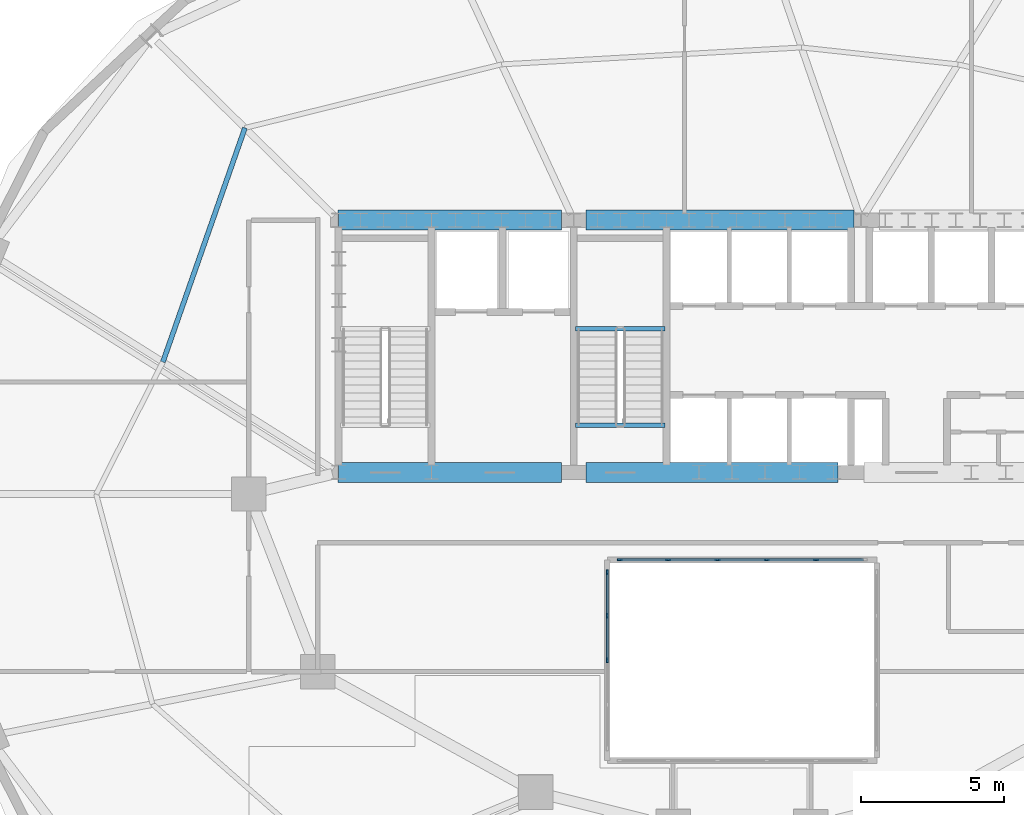
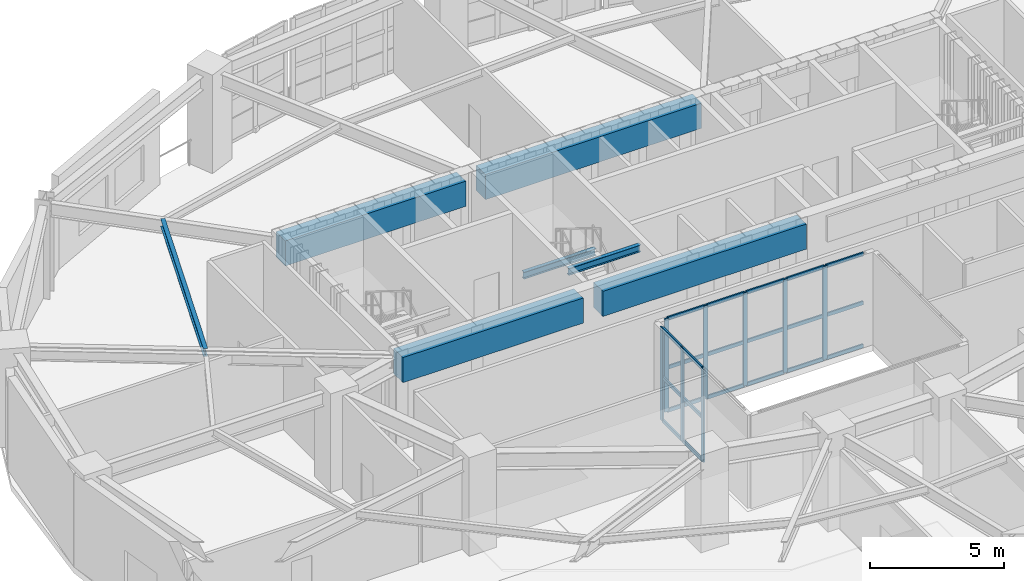
# One storey, part 4 of 15: 29 members, 7 beams, 2 elements without a shape of their own.
"""IFC4 building model written with IfcOpenShell, lengths in metres."""

from ifc_helpers import new_model, si_unit, direction, frame, origin, origin_2d, place, context, subcontext, project, spatial, rectangle, i_section, extrude, material, material_profile, profile_set, type_object, element, aggregate, save


model = new_model("IFC4")

# Units and contexts
model_context = context("Model", 3, precision=1e-05, world=origin(), true_north=direction((0.0, 1.0)))
body_context = subcontext(model_context, "Body", "Model", "MODEL_VIEW")
ifc_project = project(units=[si_unit("LENGTHUNIT", "METRE"), si_unit("AREAUNIT", "SQUARE_METRE"), si_unit("VOLUMEUNIT", "CUBIC_METRE"), si_unit("PLANEANGLEUNIT", "RADIAN"), si_unit("MASSUNIT", "GRAM", prefix="KILO")], contexts=[model_context])

# Site, building, storey
site_placement = place(None, origin())
site = spatial("IfcSite", under=ifc_project, at=site_placement, CompositionType="ELEMENT")
building_placement = place(site_placement, origin())
building = spatial("IfcBuilding", under=site, at=building_placement, Name="Haldorwick Loom Tower", CompositionType="ELEMENT")
storey_placement = place(building_placement, frame((0.0, 0.0, 105.949951171875)))
storey = spatial("IfcBuildingStorey", under=building, at=storey_placement, Name="L28", CompositionType="ELEMENT", Elevation=105.949951171875)

# Curtain wall, members
ifc_material_1 = material(Name="Thermally Broken Anodized Aluminium Curtain Wall Framing", Category="aluminium")
curtain_wall_type = type_object("IfcCurtainWallType", Name="ARC-CW-03", PredefinedType="NOTDEFINED", material=ifc_material_1)
curtain_wall_1_placement = place(storey_placement, origin())
curtain_wall_1 = element("IfcCurtainWall", 1, at=curtain_wall_1_placement, inside=storey, type_object=curtain_wall_type, Name="L28 Atrium Glazed Screen N", PredefinedType="NOTDEFINED")
ifc_material_profile_1 = material_profile(ifc_material_1, rectangle(XDim=0.06591796875, YDim=0.18505859375, at=origin_2d()), Name="ALU_MUL_66X185", Category="aluminium")
ifc_profile_set_1 = profile_set([ifc_material_profile_1], Name="Thermally Broken Anodized Aluminium Curtain Wall Framing")
member_type_1 = type_object("IfcMemberType", Name="ARC-CWM-03", PredefinedType="MULLION", material=ifc_profile_set_1)
member_1_placement = place(storey_placement, frame((31.73291015625, 23.699951171875, 0.0), z_axis=(0.0, 0.0, 1.0), x_axis=(0.0, 1.0, 0.0)))
member_1 = element("IfcMember", 2, at=member_1_placement, type_object=member_type_1, Name="CW-03 mullion 1", PredefinedType="MULLION", context=body_context, shape_type="SweptSolid", body=[
    extrude(rectangle(XDim=0.06591796875, YDim=0.18505859375, at=origin_2d()), origin(), (0.0, 0.0, 1.0), 4.260009765625),
])
member_2_placement = place(storey_placement, frame((33.419921875, 23.699951171875, 0.0), z_axis=(0.0, 0.0, 1.0), x_axis=(0.0, 1.0, 0.0)))
member_2 = element("IfcMember", 3, at=member_2_placement, type_object=member_type_1, Name="CW-03 mullion 2", PredefinedType="MULLION", context=body_context, shape_type="SweptSolid", body=[
    extrude(rectangle(XDim=0.06591796875, YDim=0.18505859375, at=origin_2d()), origin(), (0.0, 0.0, 1.0), 4.260009765625),
])
member_3_placement = place(storey_placement, frame((35.139892578125, 23.699951171875, 0.0), z_axis=(0.0, 0.0, 1.0), x_axis=(0.0, 1.0, 0.0)))
member_3 = element("IfcMember", 4, at=member_3_placement, type_object=member_type_1, Name="CW-03 mullion 3", PredefinedType="MULLION", context=body_context, shape_type="SweptSolid", body=[
    extrude(rectangle(XDim=0.06591796875, YDim=0.18505859375, at=origin_2d()), origin(), (0.0, 0.0, 1.0), 4.260009765625),
])
member_4_placement = place(storey_placement, frame((36.860107421875, 23.699951171875, 0.0), z_axis=(0.0, 0.0, 1.0), x_axis=(0.0, 1.0, 0.0)))
member_4 = element("IfcMember", 5, at=member_4_placement, type_object=member_type_1, Name="CW-03 mullion 4", PredefinedType="MULLION", context=body_context, shape_type="SweptSolid", body=[
    extrude(rectangle(XDim=0.06591796875, YDim=0.18505859375, at=origin_2d()), origin(), (0.0, 0.0, 1.0), 4.260009765625),
])
member_5_placement = place(storey_placement, frame((38.580078125, 23.699951171875, 0.0), z_axis=(0.0, 0.0, 1.0), x_axis=(0.0, 1.0, 0.0)))
member_5 = element("IfcMember", 6, at=member_5_placement, type_object=member_type_1, Name="CW-03 mullion 5", PredefinedType="MULLION", context=body_context, shape_type="SweptSolid", body=[
    extrude(rectangle(XDim=0.06591796875, YDim=0.18505859375, at=origin_2d()), origin(), (0.0, 0.0, 1.0), 4.260009765625),
])

curtain_wall_2_placement = place(storey_placement, origin())
curtain_wall_2 = element("IfcCurtainWall", 7, at=curtain_wall_2_placement, inside=storey, type_object=curtain_wall_type, Name="L28 Atrium Glazed Screen W", PredefinedType="NOTDEFINED")
member_6_placement = place(storey_placement, frame((31.300048828125, 20.199951171875, 0.0), z_axis=(0.0, 0.0, 1.0), x_axis=(-1.0, 0.0, 0.0)))
member_6 = element("IfcMember", 8, at=member_6_placement, type_object=member_type_1, Name="CW-03 mullion 3", PredefinedType="MULLION", context=body_context, shape_type="SweptSolid", body=[
    extrude(rectangle(XDim=0.06591796875, YDim=0.18505859375, at=origin_2d()), origin(), (0.0, 0.0, 1.0), 4.260009765625),
])
member_7_placement = place(storey_placement, frame((31.300048828125, 21.75, 0.0), z_axis=(0.0, 0.0, 1.0), x_axis=(-1.0, 0.0, 0.0)))
member_7 = element("IfcMember", 9, at=member_7_placement, type_object=member_type_1, Name="CW-03 mullion 4", PredefinedType="MULLION", context=body_context, shape_type="SweptSolid", body=[
    extrude(rectangle(XDim=0.06591796875, YDim=0.18505859375, at=origin_2d()), origin(), (0.0, 0.0, 1.0), 4.260009765625),
])
member_8_placement = place(storey_placement, frame((31.300048828125, 23.26708984375, 0.0), z_axis=(0.0, 0.0, 1.0), x_axis=(-1.0, 0.0, 0.0)))
member_8 = element("IfcMember", 10, at=member_8_placement, type_object=member_type_1, Name="CW-03 mullion 5", PredefinedType="MULLION", context=body_context, shape_type="SweptSolid", body=[
    extrude(rectangle(XDim=0.06591796875, YDim=0.18505859375, at=origin_2d()), origin(), (0.0, 0.0, 1.0), 4.260009765625),
])

# Member
ifc_material_profile_2 = material_profile(ifc_material_1, rectangle(XDim=0.06591796875, YDim=0.1650390625, at=origin_2d()), Name="ALU_TRN_66X165", Category="aluminium")
ifc_profile_set_2 = profile_set([ifc_material_profile_2], Name="Thermally Broken Anodized Aluminium Curtain Wall Framing")
member_type_2 = type_object("IfcMemberType", Name="ARC-CWT-03", PredefinedType="USERDEFINED", material=ifc_profile_set_2)
member_9_placement = place(storey_placement, frame((31.76611328125, 23.699951171875, 0.032958984375), z_axis=(1.0, 0.0, 0.0), x_axis=(0.0, 1.0, 0.0)))
member_9 = element("IfcMember", 11, at=member_9_placement, type_object=member_type_2, Name="CW-03 transom 1.1", ObjectType="TRANSOM", PredefinedType="USERDEFINED", context=body_context, shape_type="SweptSolid", body=[
    extrude(rectangle(XDim=0.06591796875, YDim=0.1650390625, at=origin_2d()), origin(), (0.0, 0.0, 1.0), 1.620849609375),
])

member_10_placement = place(storey_placement, frame((31.76611328125, 23.699951171875, 2.0), z_axis=(1.0, 0.0, 0.0), x_axis=(0.0, 1.0, 0.0)))
member_10 = element("IfcMember", 12, at=member_10_placement, type_object=member_type_2, Name="CW-03 transom 1.2", ObjectType="TRANSOM", PredefinedType="USERDEFINED", context=body_context, shape_type="SweptSolid", body=[
    extrude(rectangle(XDim=0.06591796875, YDim=0.1650390625, at=origin_2d()), origin(), (0.0, 0.0, 1.0), 1.620849609375),
])

member_11_placement = place(storey_placement, frame((31.76611328125, 23.699951171875, 4.22705078125), z_axis=(1.0, 0.0, 0.0), x_axis=(0.0, 1.0, 0.0)))
member_11 = element("IfcMember", 13, at=member_11_placement, type_object=member_type_2, Name="CW-03 transom 1.3", ObjectType="TRANSOM", PredefinedType="USERDEFINED", context=body_context, shape_type="SweptSolid", body=[
    extrude(rectangle(XDim=0.06591796875, YDim=0.1650390625, at=origin_2d()), origin(), (0.0, 0.0, 1.0), 1.620849609375),
])

member_12_placement = place(storey_placement, frame((33.452880859375, 23.699951171875, 0.032958984375), z_axis=(1.0, 0.0, 0.0), x_axis=(0.0, 1.0, 0.0)))
member_12 = element("IfcMember", 14, at=member_12_placement, type_object=member_type_2, Name="CW-03 transom 2.1", ObjectType="TRANSOM", PredefinedType="USERDEFINED", context=body_context, shape_type="SweptSolid", body=[
    extrude(rectangle(XDim=0.06591796875, YDim=0.1650390625, at=origin_2d()), origin(), (0.0, 0.0, 1.0), 1.654052734375),
])

member_13_placement = place(storey_placement, frame((33.452880859375, 23.699951171875, 2.0), z_axis=(1.0, 0.0, 0.0), x_axis=(0.0, 1.0, 0.0)))
member_13 = element("IfcMember", 15, at=member_13_placement, type_object=member_type_2, Name="CW-03 transom 2.2", ObjectType="TRANSOM", PredefinedType="USERDEFINED", context=body_context, shape_type="SweptSolid", body=[
    extrude(rectangle(XDim=0.06591796875, YDim=0.1650390625, at=origin_2d()), origin(), (0.0, 0.0, 1.0), 1.654052734375),
])

member_14_placement = place(storey_placement, frame((33.452880859375, 23.699951171875, 4.22705078125), z_axis=(1.0, 0.0, 0.0), x_axis=(0.0, 1.0, 0.0)))
member_14 = element("IfcMember", 16, at=member_14_placement, type_object=member_type_2, Name="CW-03 transom 2.3", ObjectType="TRANSOM", PredefinedType="USERDEFINED", context=body_context, shape_type="SweptSolid", body=[
    extrude(rectangle(XDim=0.06591796875, YDim=0.1650390625, at=origin_2d()), origin(), (0.0, 0.0, 1.0), 1.654052734375),
])

member_15_placement = place(storey_placement, frame((35.173095703125, 23.699951171875, 0.032958984375), z_axis=(1.0, 0.0, 0.0), x_axis=(0.0, 1.0, 0.0)))
member_15 = element("IfcMember", 17, at=member_15_placement, type_object=member_type_2, Name="CW-03 transom 3.1", ObjectType="TRANSOM", PredefinedType="USERDEFINED", context=body_context, shape_type="SweptSolid", body=[
    extrude(rectangle(XDim=0.06591796875, YDim=0.1650390625, at=origin_2d()), origin(), (0.0, 0.0, 1.0), 1.65380859375),
])

member_16_placement = place(storey_placement, frame((35.173095703125, 23.699951171875, 2.0), z_axis=(1.0, 0.0, 0.0), x_axis=(0.0, 1.0, 0.0)))
member_16 = element("IfcMember", 18, at=member_16_placement, type_object=member_type_2, Name="CW-03 transom 3.2", ObjectType="TRANSOM", PredefinedType="USERDEFINED", context=body_context, shape_type="SweptSolid", body=[
    extrude(rectangle(XDim=0.06591796875, YDim=0.1650390625, at=origin_2d()), origin(), (0.0, 0.0, 1.0), 1.65380859375),
])

member_17_placement = place(storey_placement, frame((35.173095703125, 23.699951171875, 4.22705078125), z_axis=(1.0, 0.0, 0.0), x_axis=(0.0, 1.0, 0.0)))
member_17 = element("IfcMember", 19, at=member_17_placement, type_object=member_type_2, Name="CW-03 transom 3.3", ObjectType="TRANSOM", PredefinedType="USERDEFINED", context=body_context, shape_type="SweptSolid", body=[
    extrude(rectangle(XDim=0.06591796875, YDim=0.1650390625, at=origin_2d()), origin(), (0.0, 0.0, 1.0), 1.65380859375),
])

member_18_placement = place(storey_placement, frame((36.89306640625, 23.699951171875, 0.032958984375), z_axis=(1.0, 0.0, 0.0), x_axis=(0.0, 1.0, 0.0)))
member_18 = element("IfcMember", 20, at=member_18_placement, type_object=member_type_2, Name="CW-03 transom 4.1", ObjectType="TRANSOM", PredefinedType="USERDEFINED", context=body_context, shape_type="SweptSolid", body=[
    extrude(rectangle(XDim=0.06591796875, YDim=0.1650390625, at=origin_2d()), origin(), (0.0, 0.0, 1.0), 1.654052734375),
])

member_19_placement = place(storey_placement, frame((36.89306640625, 23.699951171875, 2.0), z_axis=(1.0, 0.0, 0.0), x_axis=(0.0, 1.0, 0.0)))
member_19 = element("IfcMember", 21, at=member_19_placement, type_object=member_type_2, Name="CW-03 transom 4.2", ObjectType="TRANSOM", PredefinedType="USERDEFINED", context=body_context, shape_type="SweptSolid", body=[
    extrude(rectangle(XDim=0.06591796875, YDim=0.1650390625, at=origin_2d()), origin(), (0.0, 0.0, 1.0), 1.654052734375),
])

member_20_placement = place(storey_placement, frame((36.89306640625, 23.699951171875, 4.22705078125), z_axis=(1.0, 0.0, 0.0), x_axis=(0.0, 1.0, 0.0)))
member_20 = element("IfcMember", 22, at=member_20_placement, type_object=member_type_2, Name="CW-03 transom 4.3", ObjectType="TRANSOM", PredefinedType="USERDEFINED", context=body_context, shape_type="SweptSolid", body=[
    extrude(rectangle(XDim=0.06591796875, YDim=0.1650390625, at=origin_2d()), origin(), (0.0, 0.0, 1.0), 1.654052734375),
])

member_21_placement = place(storey_placement, frame((38.613037109375, 23.699951171875, 0.032958984375), z_axis=(1.0, 0.0, 0.0), x_axis=(0.0, 1.0, 0.0)))
member_21 = element("IfcMember", 23, at=member_21_placement, type_object=member_type_2, Name="CW-03 transom 5.1", ObjectType="TRANSOM", PredefinedType="USERDEFINED", context=body_context, shape_type="SweptSolid", body=[
    extrude(rectangle(XDim=0.06591796875, YDim=0.1650390625, at=origin_2d()), origin(), (0.0, 0.0, 1.0), 1.620849609375),
])

member_22_placement = place(storey_placement, frame((38.613037109375, 23.699951171875, 2.0), z_axis=(1.0, 0.0, 0.0), x_axis=(0.0, 1.0, 0.0)))
member_22 = element("IfcMember", 24, at=member_22_placement, type_object=member_type_2, Name="CW-03 transom 5.2", ObjectType="TRANSOM", PredefinedType="USERDEFINED", context=body_context, shape_type="SweptSolid", body=[
    extrude(rectangle(XDim=0.06591796875, YDim=0.1650390625, at=origin_2d()), origin(), (0.0, 0.0, 1.0), 1.620849609375),
])

member_23_placement = place(storey_placement, frame((38.613037109375, 23.699951171875, 4.22705078125), z_axis=(1.0, 0.0, 0.0), x_axis=(0.0, 1.0, 0.0)))
member_23 = element("IfcMember", 25, at=member_23_placement, type_object=member_type_2, Name="CW-03 transom 5.3", ObjectType="TRANSOM", PredefinedType="USERDEFINED", context=body_context, shape_type="SweptSolid", body=[
    extrude(rectangle(XDim=0.06591796875, YDim=0.1650390625, at=origin_2d()), origin(), (0.0, 0.0, 1.0), 1.620849609375),
])

aggregate(curtain_wall_1, [member_1, member_2, member_3, member_4, member_5, member_9, member_10, member_11, member_12, member_13, member_14, member_15, member_16, member_17, member_18, member_19, member_20, member_21, member_22, member_23])

member_24_placement = place(storey_placement, frame((31.300048828125, 20.23291015625, 0.032958984375), z_axis=(0.0, 1.0, 0.0), x_axis=(-1.0, 0.0, 0.0)))
member_24 = element("IfcMember", 26, at=member_24_placement, type_object=member_type_2, Name="CW-03 transom 3.1", ObjectType="TRANSOM", PredefinedType="USERDEFINED", context=body_context, shape_type="SweptSolid", body=[
    extrude(rectangle(XDim=0.06591796875, YDim=0.1650390625, at=origin_2d()), origin(), (0.0, 0.0, 1.0), 1.484130859375),
])

member_25_placement = place(storey_placement, frame((31.300048828125, 20.23291015625, 2.0), z_axis=(0.0, 1.0, 0.0), x_axis=(-1.0, 0.0, 0.0)))
member_25 = element("IfcMember", 27, at=member_25_placement, type_object=member_type_2, Name="CW-03 transom 3.2", ObjectType="TRANSOM", PredefinedType="USERDEFINED", context=body_context, shape_type="SweptSolid", body=[
    extrude(rectangle(XDim=0.06591796875, YDim=0.1650390625, at=origin_2d()), origin(), (0.0, 0.0, 1.0), 1.484130859375),
])

member_26_placement = place(storey_placement, frame((31.300048828125, 20.23291015625, 4.22705078125), z_axis=(0.0, 1.0, 0.0), x_axis=(-1.0, 0.0, 0.0)))
member_26 = element("IfcMember", 28, at=member_26_placement, type_object=member_type_2, Name="CW-03 transom 3.3", ObjectType="TRANSOM", PredefinedType="USERDEFINED", context=body_context, shape_type="SweptSolid", body=[
    extrude(rectangle(XDim=0.06591796875, YDim=0.1650390625, at=origin_2d()), origin(), (0.0, 0.0, 1.0), 1.484130859375),
])

member_27_placement = place(storey_placement, frame((31.300048828125, 21.782958984375, 0.032958984375), z_axis=(0.0, 1.0, 0.0), x_axis=(-1.0, 0.0, 0.0)))
member_27 = element("IfcMember", 29, at=member_27_placement, type_object=member_type_2, Name="CW-03 transom 4.1", ObjectType="TRANSOM", PredefinedType="USERDEFINED", context=body_context, shape_type="SweptSolid", body=[
    extrude(rectangle(XDim=0.06591796875, YDim=0.1650390625, at=origin_2d()), origin(), (0.0, 0.0, 1.0), 1.450927734375),
])

member_28_placement = place(storey_placement, frame((31.300048828125, 21.782958984375, 2.0), z_axis=(0.0, 1.0, 0.0), x_axis=(-1.0, 0.0, 0.0)))
member_28 = element("IfcMember", 30, at=member_28_placement, type_object=member_type_2, Name="CW-03 transom 4.2", ObjectType="TRANSOM", PredefinedType="USERDEFINED", context=body_context, shape_type="SweptSolid", body=[
    extrude(rectangle(XDim=0.06591796875, YDim=0.1650390625, at=origin_2d()), origin(), (0.0, 0.0, 1.0), 1.450927734375),
])

member_29_placement = place(storey_placement, frame((31.300048828125, 21.782958984375, 4.22705078125), z_axis=(0.0, 1.0, 0.0), x_axis=(-1.0, 0.0, 0.0)))
member_29 = element("IfcMember", 31, at=member_29_placement, type_object=member_type_2, Name="CW-03 transom 4.3", ObjectType="TRANSOM", PredefinedType="USERDEFINED", context=body_context, shape_type="SweptSolid", body=[
    extrude(rectangle(XDim=0.06591796875, YDim=0.1650390625, at=origin_2d()), origin(), (0.0, 0.0, 1.0), 1.450927734375),
])

aggregate(curtain_wall_2, [member_6, member_7, member_8, member_24, member_25, member_26, member_27, member_28, member_29])

# Beams
ifc_material_2 = material(Name="Concrete C60 (60 MPa)", Category="concrete")
ifc_material_profile_3 = material_profile(ifc_material_2, rectangle(XDim=0.699951171875, YDim=1.14990234375, at=origin_2d()), Name="RC700X1150", Category="concrete")
ifc_profile_set_3 = profile_set([ifc_material_profile_3], Name="Concrete C60 (60 MPa)")
beam_type_1 = type_object("IfcBeamType", Name="STR-BM-CB1150", PredefinedType="LINTEL", material=ifc_profile_set_3)
beam_1_placement = place(storey_placement, frame((21.89990234375, 35.550048828125, 3.68505859375), z_axis=(1.0, 0.0, 0.0), x_axis=(0.0, 1.0, 0.0)))
element("IfcBeam", 32, at=beam_1_placement, inside=storey, type_object=beam_type_1, Name="L28 Core Coupling Beam CB-N1", PredefinedType="LINTEL", context=body_context, shape_type="SweptSolid", body=[
    extrude(rectangle(XDim=0.699951171875, YDim=1.14990234375, at=origin_2d()), origin(), (0.0, 0.0, 1.0), 7.800048828125),
])
beam_2_placement = place(storey_placement, frame((30.550048828125, 35.550048828125, 3.68505859375), z_axis=(1.0, 0.0, 0.0), x_axis=(0.0, 1.0, 0.0)))
element("IfcBeam", 33, at=beam_2_placement, inside=storey, type_object=beam_type_1, Name="L28 Core Coupling Beam CB-N2", PredefinedType="LINTEL", context=body_context, shape_type="SweptSolid", body=[
    extrude(rectangle(XDim=0.699951171875, YDim=1.14990234375, at=origin_2d()), origin(), (0.0, 0.0, 1.0), 9.349853515625),
])
beam_3_placement = place(storey_placement, frame((21.89990234375, 26.75, 3.68505859375), z_axis=(1.0, 0.0, 0.0), x_axis=(0.0, 1.0, 0.0)))
element("IfcBeam", 34, at=beam_3_placement, inside=storey, type_object=beam_type_1, Name="L28 Core Coupling Beam CB-S1", PredefinedType="LINTEL", context=body_context, shape_type="SweptSolid", body=[
    extrude(rectangle(XDim=0.699951171875, YDim=1.14990234375, at=origin_2d()), origin(), (0.0, 0.0, 1.0), 7.800048828125),
])
beam_4_placement = place(storey_placement, frame((30.550048828125, 26.75, 3.68505859375), z_axis=(1.0, 0.0, 0.0), x_axis=(0.0, 1.0, 0.0)))
element("IfcBeam", 35, at=beam_4_placement, inside=storey, type_object=beam_type_1, Name="L28 Core Coupling Beam CB-S2", PredefinedType="LINTEL", context=body_context, shape_type="SweptSolid", body=[
    extrude(rectangle(XDim=0.699951171875, YDim=1.14990234375, at=origin_2d()), origin(), (0.0, 0.0, 1.0), 8.800048828125),
])
ifc_material_3 = material(Name="Steel CSA G40.21 350W", Category="steel")
ifc_material_profile_4 = material_profile(ifc_material_3, i_section(OverallWidth=0.172119140625, OverallDepth=0.35791015625, WebThickness=0.0078125, FlangeThickness=0.01318359375, at=origin_2d()), Name="W360X57", Category="steel")
ifc_profile_set_4 = profile_set([ifc_material_profile_4], Name="Steel CSA G40.21 350W")
beam_type_2 = type_object("IfcBeamType", Name="STR-BM-J360", PredefinedType="JOIST", material=ifc_profile_set_4)
beam_5_placement = place(storey_placement, frame((18.66162109375, 38.765869140625, 4.0810546875), z_axis=(-0.330864603503, -0.943678236556, 0.0), x_axis=(0.943678236556, -0.330864603503, 0.0)))
element("IfcBeam", 36, at=beam_5_placement, inside=storey, type_object=beam_type_2, Name="L28 Mid-Bay Secondary Joist 7", PredefinedType="JOIST", context=body_context, shape_type="SweptSolid", body=[
    extrude(i_section(OverallWidth=0.172119140625, OverallDepth=0.35791015625, WebThickness=0.0078125, FlangeThickness=0.01318359375, at=origin_2d()), origin(), (0.0, 0.0, 1.0), 8.6494140625),
])
ifc_material_profile_5 = material_profile(ifc_material_3, i_section(OverallWidth=0.166015625, OverallDepth=0.31298828125, WebThickness=0.006591796875, FlangeThickness=0.01123046875, at=origin_2d()), Name="W310X45", Category="steel")
ifc_profile_set_5 = profile_set([ifc_material_profile_5], Name="Steel CSA G40.21 350W")
beam_type_3 = type_object("IfcBeamType", Name="STR-BM-STRM", PredefinedType="BEAM", material=ifc_profile_set_5)
for number, where, z_axis, x_axis, name in (
    (37, (30.18994140625, 28.39990234375, 4.103515625), (1.0, 0.0, 0.0), (0.0, 1.0, 0.0), "L28 Stair ST-03 Landing Edge Trimmer"),
    (38, (30.18994140625, 31.760009765625, 1.8935546875), (1.0, 0.0, 0.0), (0.0, 1.0, 0.0), "L28 Stair ST-03 Half-Landing Trimmer 1"),
):
    element("IfcBeam", number, at=place(storey_placement, frame(where, z_axis=z_axis, x_axis=x_axis)), inside=storey, type_object=beam_type_3, Name=name, PredefinedType="BEAM", context=body_context, shape_type="SweptSolid", body=[
        extrude(i_section(OverallWidth=0.166015625, OverallDepth=0.31298828125, WebThickness=0.006591796875, FlangeThickness=0.01123046875, at=origin_2d()), origin(), (0.0, 0.0, 1.0), 3.1201171875),
    ])

save(model, "model.ifc")
